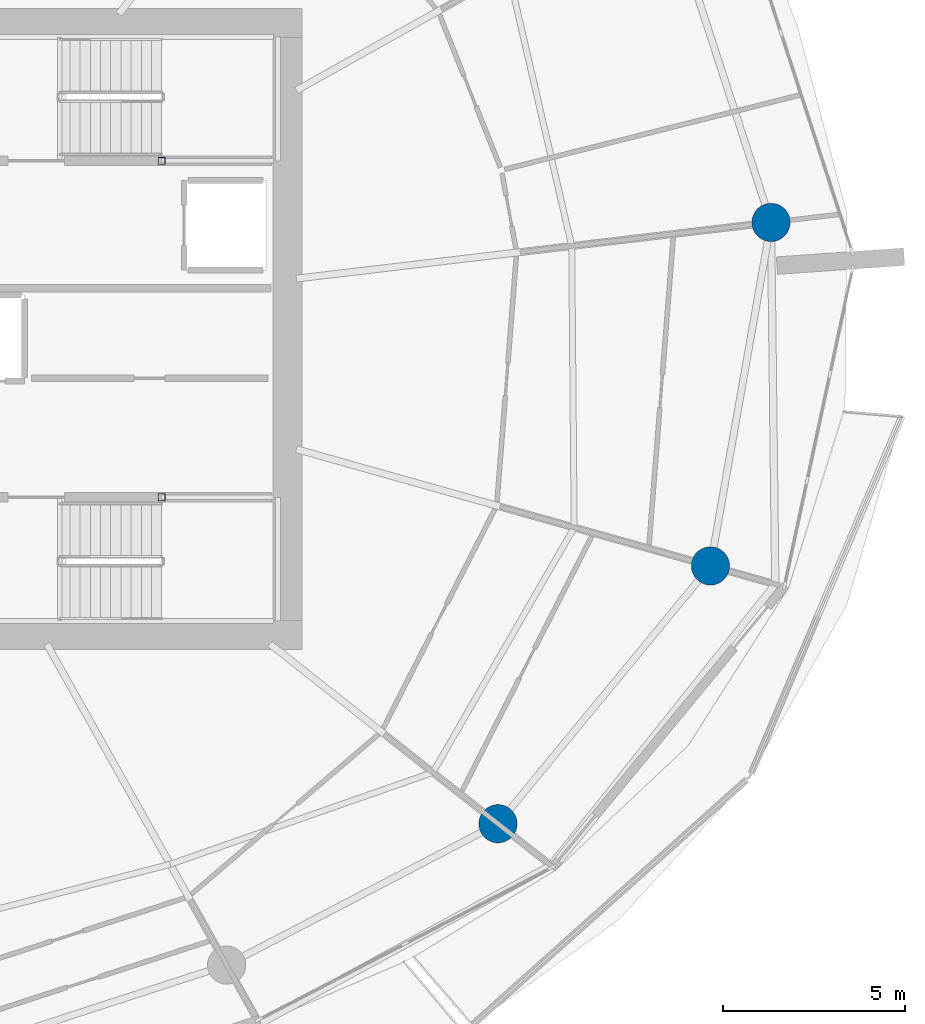
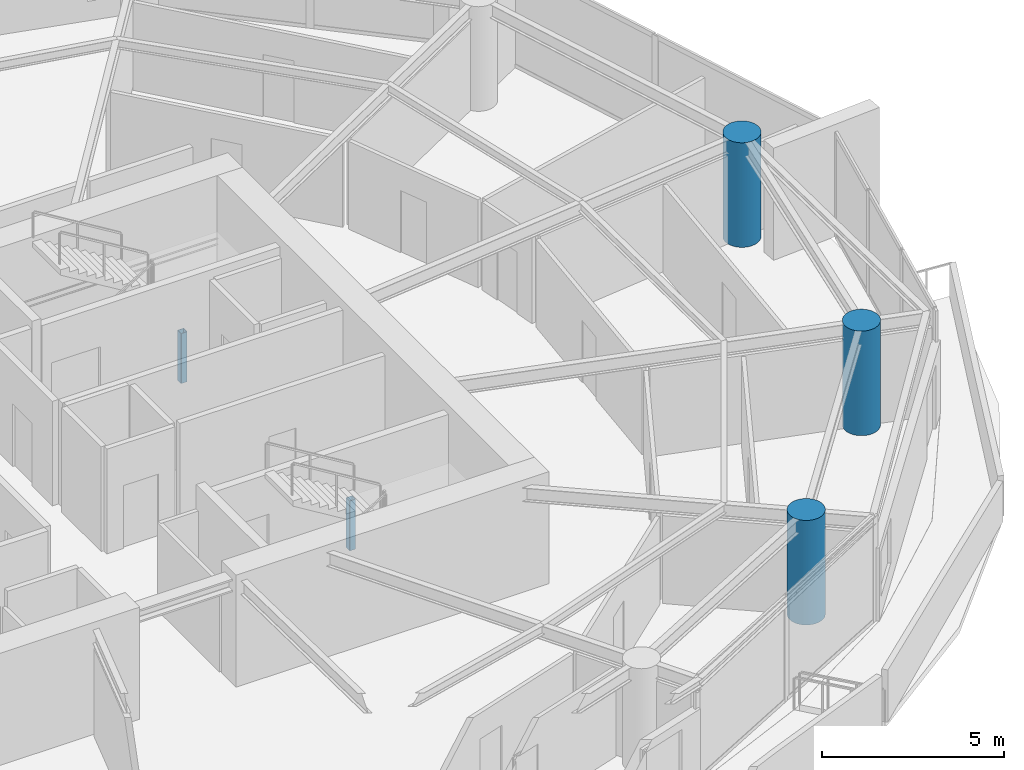
# One storey, part 3 of 20: 5 columns.
"""IFC4 building model written with IfcOpenShell, lengths in metres."""

from ifc_helpers import new_model, si_unit, direction, frame, origin, origin_2d, place, context, subcontext, project, spatial, hollow_rectangle, circle, extrude, material, material_profile, profile_set, type_object, element, save


model = new_model("IFC4")

# Units and contexts
model_context = context("Model", 3, precision=1e-05, world=origin(), true_north=direction((0.0, 1.0)))
body_context = subcontext(model_context, "Body", "Model", "MODEL_VIEW")
ifc_project = project(units=[si_unit("LENGTHUNIT", "METRE"), si_unit("AREAUNIT", "SQUARE_METRE"), si_unit("VOLUMEUNIT", "CUBIC_METRE"), si_unit("PLANEANGLEUNIT", "RADIAN"), si_unit("MASSUNIT", "GRAM", prefix="KILO")], contexts=[model_context])

# Site, building, storey
site_placement = place(None, origin())
site = spatial("IfcSite", under=ifc_project, at=site_placement, CompositionType="ELEMENT")
building_placement = place(site_placement, origin())
building = spatial("IfcBuilding", under=site, at=building_placement, Name="Kazma Halo Residences", CompositionType="ELEMENT")
storey_placement = place(building_placement, frame((0.0, 0.0, 165.300048828125)))
storey = spatial("IfcBuildingStorey", under=building, at=storey_placement, Name="L41", CompositionType="ELEMENT", Elevation=165.300048828125)

# Columns
ifc_material_1 = material(Name="Steel S355", Category="steel")
ifc_material_profile_1 = material_profile(ifc_material_1, hollow_rectangle(XDim=0.199951171875, YDim=0.199951171875, WallThickness=0.010009765625, InnerFilletRadius=0.010009765625, OuterFilletRadius=0.02001953125, at=origin_2d()), Name="SHS200x200x10")
ifc_profile_set_1 = profile_set([ifc_material_profile_1], Name="Steel S355")
column_type_1 = type_object("IfcColumnType", Name="COL-LP-SHS200", PredefinedType="COLUMN", material=ifc_profile_set_1)
for number, where, z_axis, x_axis, name in (
    (1, (56.0, 46.6201171875, 0.0), (0.0, 0.0, 1.0), (1.0, 0.0, 0.0), "L41 ST-02 landing pilaster 1"),
    (2, (56.0, 37.3798828125, 0.0), (0.0, 0.0, 1.0), (1.0, 0.0, 0.0), "L41 ST-03 landing pilaster 1"),
):
    element("IfcColumn", number, at=place(storey_placement, frame(where, z_axis=z_axis, x_axis=x_axis)), inside=storey, type_object=column_type_1, Name=name, PredefinedType="COLUMN", context=body_context, shape_type="SweptSolid", body=[
        extrude(hollow_rectangle(XDim=0.199951171875, YDim=0.199951171875, WallThickness=0.010009765625, InnerFilletRadius=0.010009765625, OuterFilletRadius=0.02001953125, at=origin_2d()), origin(), (0.0, 0.0, 1.0), 1.669921875),
    ])
ifc_material_2 = material(Name="Concrete C80/95", Category="concrete")
ifc_material_profile_2 = material_profile(ifc_material_2, circle(Radius=0.52490234375, at=origin_2d()), Name="CIRC1050")
ifc_profile_set_2 = profile_set([ifc_material_profile_2], Name="Concrete C80/95")
column_type_2 = type_object("IfcColumnType", Name="COL-PERIM-1050", PredefinedType="COLUMN", material=ifc_profile_set_2)
for number, where, z_axis, x_axis, name in (
    (3, (65.234375, 28.41357421875, 0.0), (0.0, 0.0, 1.0), (1.0, 0.0, 0.0), "L41 perimeter ring column P14"),
    (4, (71.06982421875, 35.49365234375, 0.0), (0.0, 0.0, 1.0), (1.0, 0.0, 0.0), "L41 perimeter ring column P15"),
    (5, (72.733154296875, 44.927490234375, 0.0), (0.0, 0.0, 1.0), (1.0, 0.0, 0.0), "L41 perimeter ring column P16"),
):
    element("IfcColumn", number, at=place(storey_placement, frame(where, z_axis=z_axis, x_axis=x_axis)), inside=storey, type_object=column_type_2, Name=name, PredefinedType="COLUMN", context=body_context, shape_type="SweptSolid", body=[
        extrude(circle(Radius=0.52490234375, at=origin_2d()), origin(), (0.0, 0.0, 1.0), 3.5),
    ])

save(model, "model.ifc")
